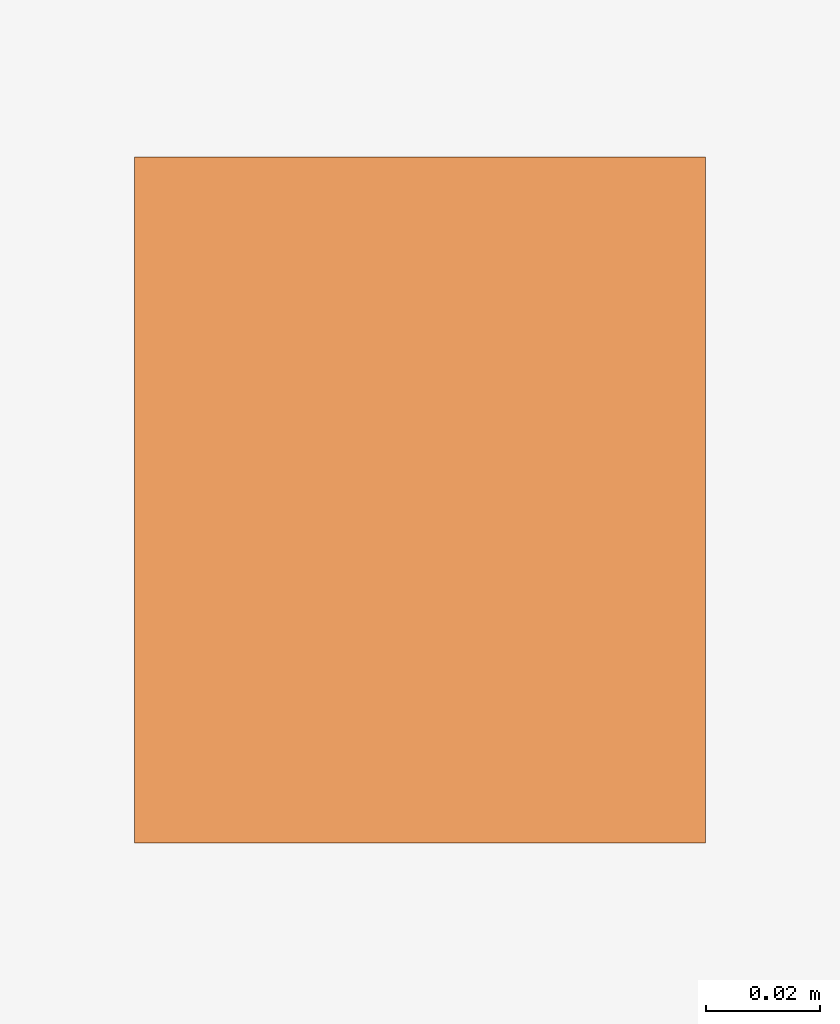
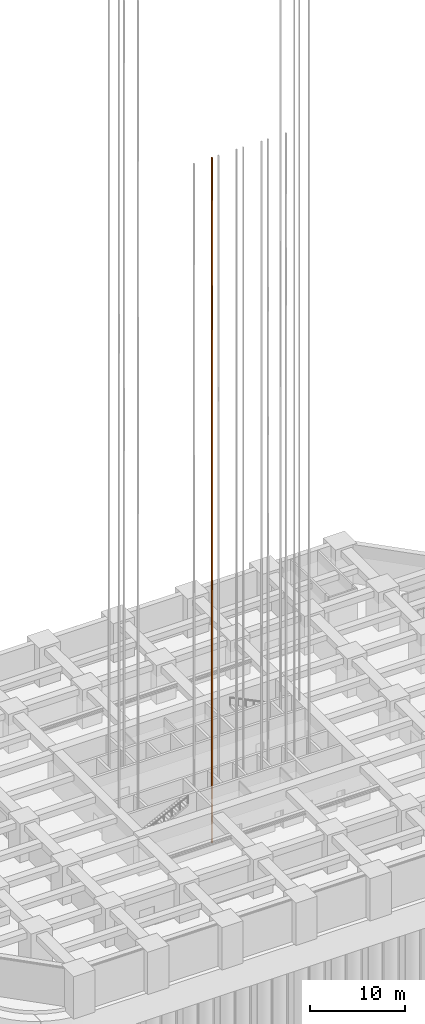
# One storey, part 13 of 24: 1 proxy.
"""IFC4 building model written with IfcOpenShell, lengths in metres."""

from ifc_helpers import new_model, si_unit, direction, frame, origin, origin_2d, place, context, subcontext, project, spatial, rectangle, extrude, element, save


model = new_model("IFC4")

# Units and contexts
model_context = context("Model", 3, precision=1e-05, world=origin(), true_north=direction((0.0, 1.0)))
body_context = subcontext(model_context, "Body", "Model", "MODEL_VIEW")
ifc_project = project(units=[si_unit("LENGTHUNIT", "METRE"), si_unit("AREAUNIT", "SQUARE_METRE"), si_unit("VOLUMEUNIT", "CUBIC_METRE"), si_unit("PLANEANGLEUNIT", "RADIAN"), si_unit("MASSUNIT", "GRAM", prefix="KILO")], contexts=[model_context])

# Site, building, storey
site_placement = place(None, origin())
site = spatial("IfcSite", under=ifc_project, at=site_placement, CompositionType="ELEMENT")
building_placement = place(site_placement, origin())
building = spatial("IfcBuilding", under=site, at=building_placement, Name="Zorevar Civic Tower", CompositionType="ELEMENT")
storey_placement = place(building_placement, frame((0.0, 0.0, -5.0)))
storey = spatial("IfcBuildingStorey", under=building, at=storey_placement, Name="B1", CompositionType="ELEMENT", Elevation=-5.0)

# Proxy
proxy_placement = place(storey_placement, frame((29.60009765625, 23.10009765625, -3.35009765625), z_axis=(0.0, 0.0, 1.0), x_axis=(1.0, 0.0, 0.0)))
element("IfcBuildingElementProxy", 1, at=proxy_placement, inside=storey, Name="Passenger lift LP1 guide rail 2", PredefinedType="NOTDEFINED", context=body_context, shape_type="SweptSolid", body=[
    extrude(rectangle(XDim=0.10009765625, YDim=0.1201171875, at=origin_2d()), origin(), (0.0, 0.0, 1.0), 88.0),
])

save(model, "model.ifc")
